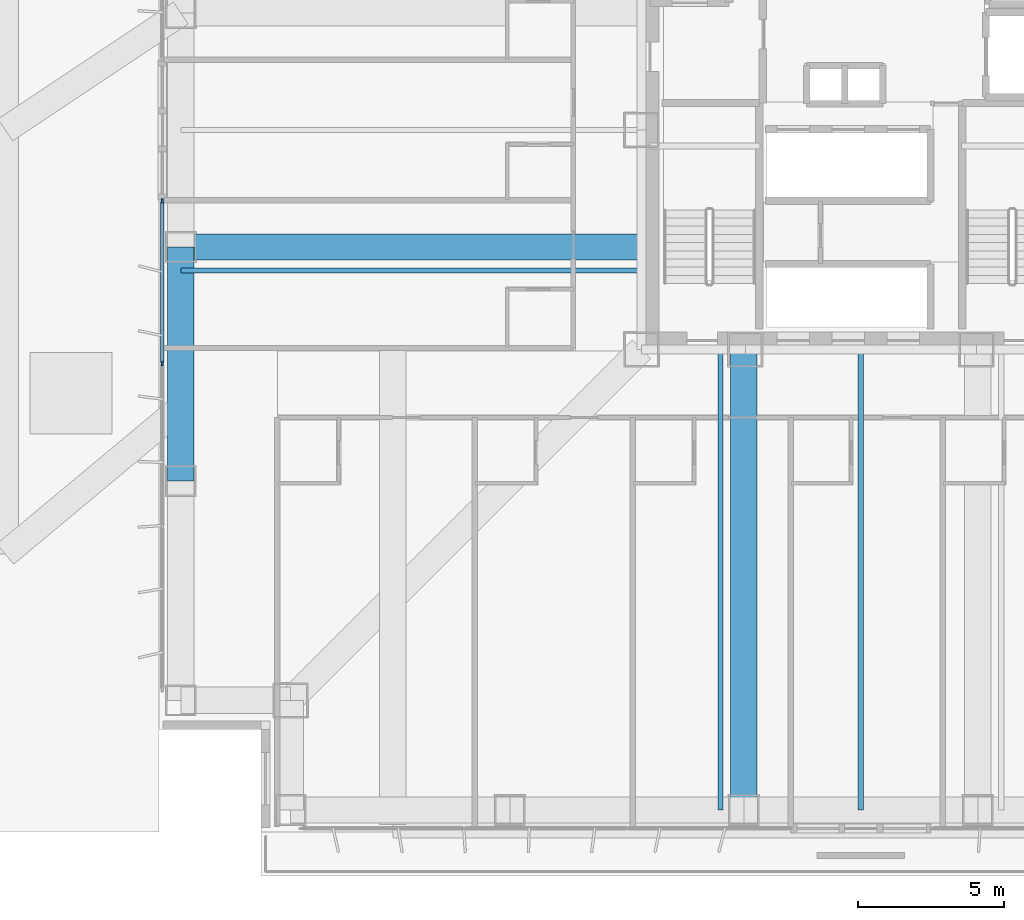
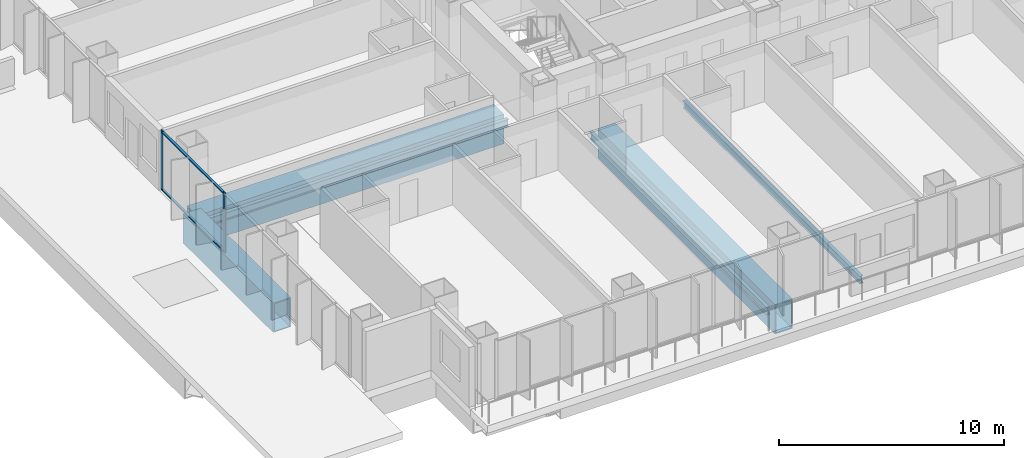
# One storey, part 4 of 24: 6 beams, 4 members, 1 element without a shape of its own.
"""IFC4 building model written with IfcOpenShell, lengths in metres."""

from ifc_helpers import new_model, si_unit, direction, frame, origin, origin_2d, place, context, subcontext, project, spatial, rectangle, hollow_rectangle, i_section, extrude, material, layer, layer_set, material_profile, profile_set, type_object, element, aggregate, save


model = new_model("IFC4")

# Units and contexts
model_context = context("Model", 3, precision=1e-05, world=origin(), true_north=direction((0.0, 1.0)))
body_context = subcontext(model_context, "Body", "Model", "MODEL_VIEW")
ifc_project = project(units=[si_unit("LENGTHUNIT", "METRE"), si_unit("AREAUNIT", "SQUARE_METRE"), si_unit("VOLUMEUNIT", "CUBIC_METRE"), si_unit("PLANEANGLEUNIT", "RADIAN"), si_unit("MASSUNIT", "GRAM", prefix="KILO")], contexts=[model_context])

# Site, building, storey
site_placement = place(None, origin())
site = spatial("IfcSite", under=ifc_project, at=site_placement, CompositionType="ELEMENT")
building_placement = place(site_placement, origin())
building = spatial("IfcBuilding", under=site, at=building_placement, Name="Trevonay Congress Spire", CompositionType="ELEMENT")
storey_placement = place(building_placement, frame((0.0, 0.0, 27.0)))
storey = spatial("IfcBuildingStorey", under=building, at=storey_placement, Name="L05", CompositionType="ELEMENT", Elevation=27.0)

# Beams
ifc_material_1 = material(Name="Steel ASTM A572 Grade 50", Category="steel")
ifc_material_profile_1 = material_profile(ifc_material_1, hollow_rectangle(XDim=0.89990234375, YDim=1.60009765625, WallThickness=0.06005859375, at=origin_2d()), Name="BOX 1600x900x60")
ifc_profile_set_1 = profile_set([ifc_material_profile_1], Name="Steel ASTM A572 Grade 50")
beam_type_1 = type_object("IfcBeamType", Name="BM-RING-BOX1600", PredefinedType="BEAM", material=ifc_profile_set_1)
beam_placement = place(storey_placement, frame((-23.25, -12.0, -1.199951171875), z_axis=(0.0, 1.0, 0.0), x_axis=(-1.0, 0.0, 0.0)))
element("IfcBeam", 1, at=beam_placement, inside=storey, type_object=beam_type_1, Name="L05 structural beam BM-L05-PW2", PredefinedType="BEAM", context=body_context, shape_type="SweptSolid", body=[
    extrude(hollow_rectangle(XDim=0.89990234375, YDim=1.60009765625, WallThickness=0.06005859375, at=origin_2d()), origin(), (0.0, 0.0, 1.0), 8.0),
])
ifc_material_profile_2 = material_profile(ifc_material_1, hollow_rectangle(XDim=0.89990234375, YDim=1.60009765625, WallThickness=0.06005859375, at=origin_2d()), Name="BOX 1600x900x60")
ifc_profile_set_2 = profile_set([ifc_material_profile_2], Name="Steel ASTM A572 Grade 50")
beam_type_2 = type_object("IfcBeamType", Name="BM-XFER-BOX1600", PredefinedType="BEAM", material=ifc_profile_set_2)
for number, where, z_axis, x_axis, name in (
    (2, (-4.0, -7.5, -1.199951171875), (0.0, -1.0, 0.0), (1.0, 0.0, 0.0), "L05 structural beam BM-L05-GS-M"),
    (3, (-7.5, -4.0, -1.199951171875), (-1.0, 0.0, 0.0), (0.0, -1.0, 0.0), "L05 structural beam BM-L05-GW-M"),
):
    element("IfcBeam", number, at=place(storey_placement, frame(where, z_axis=z_axis, x_axis=x_axis)), inside=storey, type_object=beam_type_2, Name=name, PredefinedType="BEAM", context=body_context, shape_type="SweptSolid", body=[
        extrude(hollow_rectangle(XDim=0.89990234375, YDim=1.60009765625, WallThickness=0.06005859375, at=origin_2d()), origin(), (0.0, 0.0, 1.0), 15.75),
    ])

# Curtain wall, members
ifc_material_2 = material(Name="Pale Anodised Aluminium EN AW-6063-T6", Category="aluminium")
ifc_layer = layer(ifc_material_2, 0.179931640625, Name="Pale Anodised Aluminium EN AW-6063-T6")
ifc_layer_set = layer_set([ifc_layer], Name="Pale Anodised Aluminium EN AW-6063-T6")
curtain_wall_type = type_object("IfcCurtainWallType", Name="CW-SYS02-HOTEL-PALE-METAL", PredefinedType="NOTDEFINED", material=ifc_layer_set)
curtain_wall_placement = place(storey_placement, origin())
curtain_wall = element("IfcCurtainWall", 4, at=curtain_wall_placement, inside=storey, type_object=curtain_wall_type, Name="L05 WA unitised curtain wall", PredefinedType="NOTDEFINED")
ifc_material_profile_3 = material_profile(ifc_material_2, rectangle(XDim=0.06005859375, YDim=0.159912109375, at=origin_2d()), Name="CW-MULLION-160-ALUMINIUM")
ifc_profile_set_3 = profile_set([ifc_material_profile_3], Name="Pale Anodised Aluminium EN AW-6063-T6")
member_type_1 = type_object("IfcMemberType", Name="CW-MULLION-160-ALUMINIUM", PredefinedType="MULLION", material=ifc_profile_set_3)
member_1_placement = place(storey_placement, frame((-23.8798828125, -7.9833984375, 0.0), z_axis=(0.0, 0.0, 1.0), x_axis=(-1.0, 0.0, 0.0)))
member_1 = element("IfcMember", 5, at=member_1_placement, type_object=member_type_1, Name="CW02 mullion 3", PredefinedType="MULLION", context=body_context, shape_type="SweptSolid", body=[
    extrude(rectangle(XDim=0.06005859375, YDim=0.159912109375, at=origin_2d()), origin(), (0.0, 0.0, 1.0), 3.25),
])
member_2_placement = place(storey_placement, frame((-23.8798828125, -2.429931640625, 0.0), z_axis=(0.0, 0.0, 1.0), x_axis=(-1.0, 0.0, 0.0)))
member_2 = element("IfcMember", 6, at=member_2_placement, type_object=member_type_1, Name="CW02 mullion 4", PredefinedType="MULLION", context=body_context, shape_type="SweptSolid", body=[
    extrude(rectangle(XDim=0.06005859375, YDim=0.159912109375, at=origin_2d()), origin(), (0.0, 0.0, 1.0), 3.25),
])
ifc_material_profile_4 = material_profile(ifc_material_2, rectangle(XDim=0.1201171875, YDim=0.06005859375, at=origin_2d()), Name="CW-TRANSOM-120-ALUMINIUM")
ifc_profile_set_4 = profile_set([ifc_material_profile_4], Name="Pale Anodised Aluminium EN AW-6063-T6")
member_type_2 = type_object("IfcMemberType", Name="CW-TRANSOM-120-ALUMINIUM", PredefinedType="USERDEFINED", material=ifc_profile_set_4)
member_3_placement = place(storey_placement, frame((-23.8798828125, -7.953369140625, 0.06005859375), z_axis=(0.0, 1.0, 0.0), x_axis=(-1.0, 0.0, 0.0)))
member_3 = element("IfcMember", 7, at=member_3_placement, type_object=member_type_2, Name="CW02 transom 3.1", ObjectType="TRANSOM", PredefinedType="USERDEFINED", context=body_context, shape_type="SweptSolid", body=[
    extrude(rectangle(XDim=0.1201171875, YDim=0.06005859375, at=origin_2d()), origin(), (0.0, 0.0, 1.0), 5.493408203125),
])
member_4_placement = place(storey_placement, frame((-23.8798828125, -7.953369140625, 3.18994140625), z_axis=(0.0, 1.0, 0.0), x_axis=(-1.0, 0.0, 0.0)))
member_4 = element("IfcMember", 8, at=member_4_placement, type_object=member_type_2, Name="CW02 transom 3.2", ObjectType="TRANSOM", PredefinedType="USERDEFINED", context=body_context, shape_type="SweptSolid", body=[
    extrude(rectangle(XDim=0.1201171875, YDim=0.06005859375, at=origin_2d()), origin(), (0.0, 0.0, 1.0), 5.493408203125),
])
aggregate(curtain_wall, [member_1, member_2, member_3, member_4])

# Beams
ifc_material_profile_5 = material_profile(ifc_material_1, i_section(OverallWidth=0.177978515625, OverallDepth=0.406982421875, WebThickness=0.0078125, FlangeThickness=0.0126953125, FilletRadius=0.012939453125, at=origin_2d()), Name="W410x60")
ifc_profile_set_5 = profile_set([ifc_material_profile_5], Name="Steel ASTM A572 Grade 50")
beam_type_3 = type_object("IfcBeamType", Name="JS-COMP-W410X60", PredefinedType="JOIST", material=ifc_profile_set_5)
for number, where, z_axis, x_axis, name in (
    (9, (-4.800048828125, -23.25, -0.603515625), (0.0, 1.0, 0.0), (-1.0, 0.0, 0.0), "L05 structural beam JS-L05-NS-S1"),
    (10, (-23.25, -4.800048828125, -0.603515625), (1.0, 0.0, 0.0), (0.0, 1.0, 0.0), "L05 structural beam JS-L05-EW-W1"),
    (11, (0.0, -23.25, -0.603515625), (0.0, 1.0, 0.0), (-1.0, 0.0, 0.0), "L05 structural beam JS-L05-NS-S2"),
):
    element("IfcBeam", number, at=place(storey_placement, frame(where, z_axis=z_axis, x_axis=x_axis)), inside=storey, type_object=beam_type_3, Name=name, PredefinedType="JOIST", context=body_context, shape_type="SweptSolid", body=[
        extrude(i_section(OverallWidth=0.177978515625, OverallDepth=0.406982421875, WebThickness=0.0078125, FlangeThickness=0.0126953125, FilletRadius=0.012939453125, at=origin_2d()), origin(), (0.0, 0.0, 1.0), 15.75),
    ])

save(model, "model.ifc")
